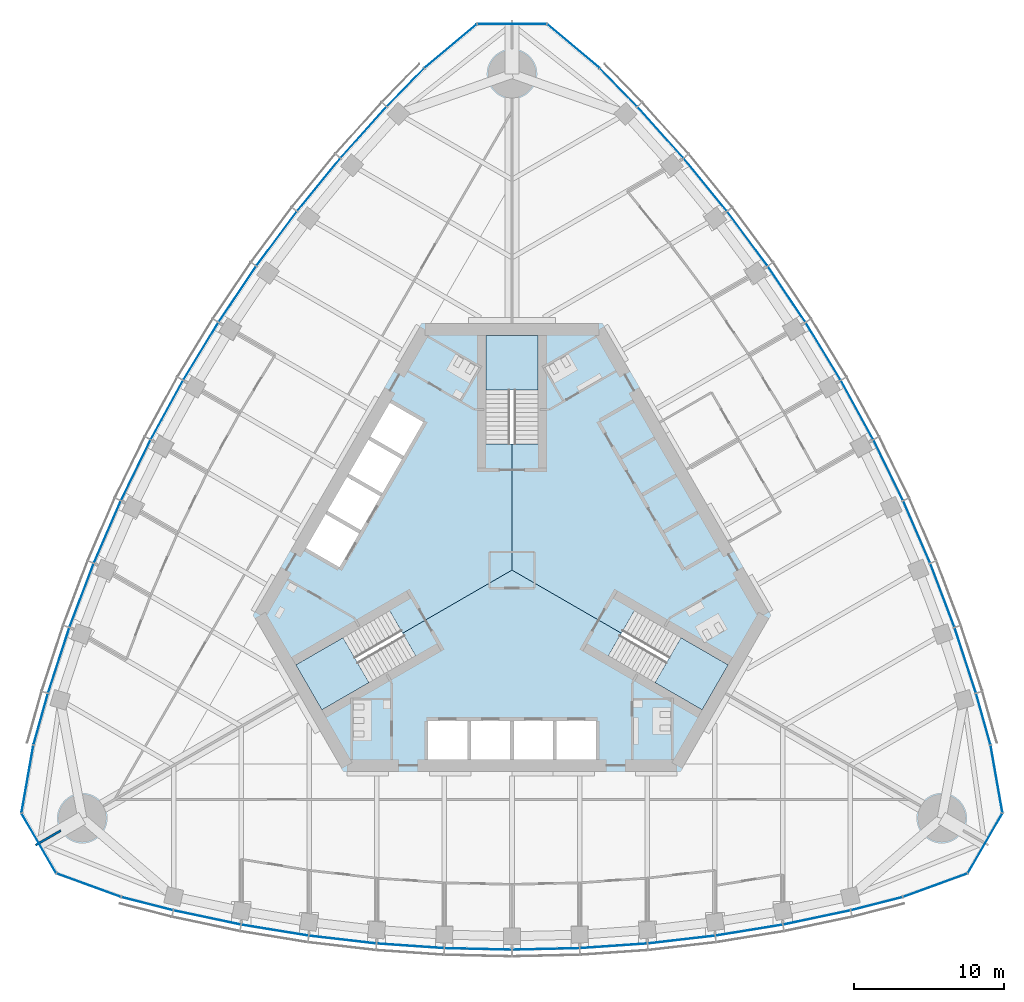
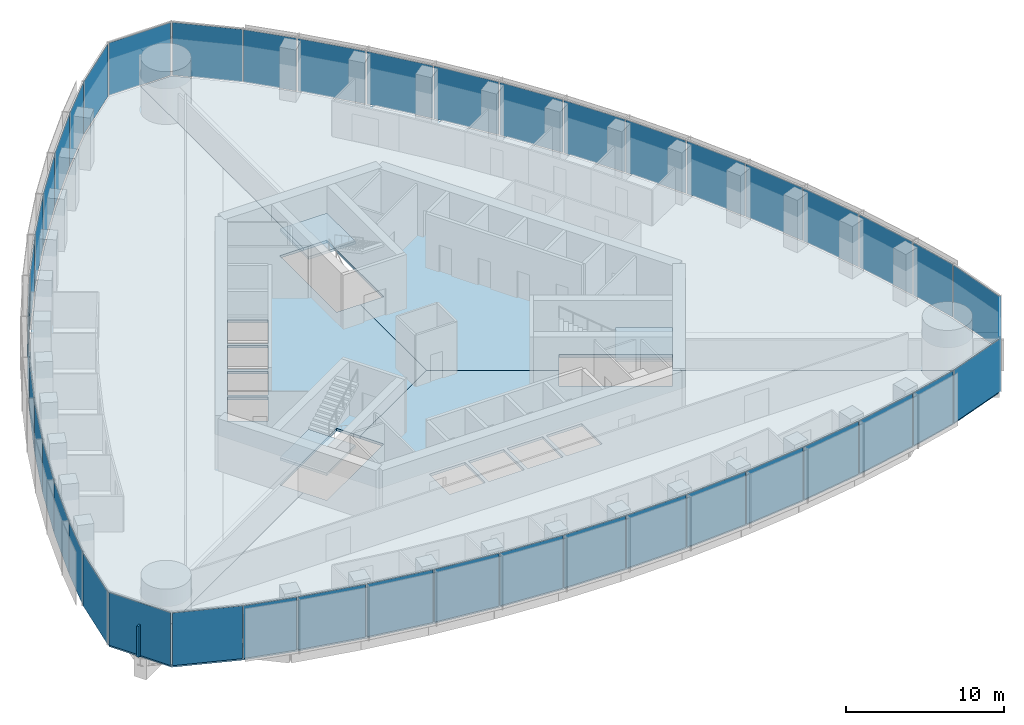
# One storey, part 10 of 20: 45 plates, 6 slabs, 1 wall, 9 elements without a shape of their own.
"""IFC4 building model written with IfcOpenShell, lengths in metres."""

from ifc_helpers import new_model, si_unit, direction, frame, frame_2d, origin, origin_2d, place, context, subcontext, project, spatial, polyline, rectangle, outline, extrude, material, layer, layer_set, type_object, element, aggregate, save


model = new_model("IFC4")

# Units and contexts
model_context = context("Model", 3, precision=1e-05, world=origin(), true_north=direction((0.0, 1.0)))
body_context = subcontext(model_context, "Body", "Model", "MODEL_VIEW")
ifc_project = project(units=[si_unit("LENGTHUNIT", "METRE"), si_unit("AREAUNIT", "SQUARE_METRE"), si_unit("VOLUMEUNIT", "CUBIC_METRE"), si_unit("PLANEANGLEUNIT", "RADIAN"), si_unit("MASSUNIT", "GRAM", prefix="KILO")], contexts=[model_context])

# Site, building, storey
site_placement = place(None, origin())
site = spatial("IfcSite", under=ifc_project, at=site_placement, CompositionType="ELEMENT")
building_placement = place(site_placement, origin())
building = spatial("IfcBuilding", under=site, at=building_placement, Name="Trefoil Bronze Tower", CompositionType="ELEMENT")
storey_placement = place(building_placement, frame((0.0, 0.0, 219.10009765625)))
storey = spatial("IfcBuildingStorey", under=building, at=storey_placement, Name="L50", CompositionType="ELEMENT", Elevation=219.10009765625)

# Curtain wall, plates
ifc_material_1 = material(Name="Tinted solar-control glass", Category="glass")
curtain_wall_type_1 = type_object("IfcCurtainWallType", Name="Bronze office curtain wall", PredefinedType="USERDEFINED", material=ifc_material_1)
curtain_wall_1_placement = place(storey_placement, origin())
curtain_wall_1 = element("IfcCurtainWall", 1, at=curtain_wall_1_placement, inside=storey, type_object=curtain_wall_type_1, Name="CW-A L50 F1", ObjectType="CURTAIN WALL", PredefinedType="USERDEFINED")
ifc_material_2 = material(Name="Tinted solar-control glass", Category="glass")
ifc_layer_1 = layer(ifc_material_2, 0.030029296875)
ifc_layer_set_1 = layer_set([ifc_layer_1], Name="Bronze office curtain wall glass panel")
plate_type_1 = type_object("IfcPlateType", Name="Bronze office curtain wall glass panel", PredefinedType="CURTAIN_PANEL", material=ifc_layer_set_1)
plate_1_placement = place(storey_placement, frame((-24.251220703125, -22.188232421875, -0.000244140625), z_axis=(0.0, 0.0, 1.0), x_axis=(0.968934035393, -0.247319297786, 0.0)))
plate_1 = element("IfcPlate", 2, at=plate_1_placement, type_object=plate_type_1, Name="CW-A L50 F1 panel 1", PredefinedType="CURTAIN_PANEL", context=body_context, shape_type="SweptSolid", body=[
    extrude(rectangle(XDim=3.483642578125, YDim=0.030029296875, at=origin_2d()), origin(), (0.0, 0.0, 1.0), 4.080078125),
])
plate_2_placement = place(storey_placement, frame((-20.270751953125, -23.105224609375, -0.000244140625), z_axis=(0.0, 0.0, 1.0), x_axis=(0.978394335897, -0.20674748725, 0.0)))
plate_2 = element("IfcPlate", 3, at=plate_2_placement, type_object=plate_type_1, Name="CW-A L50 F1 panel 2", PredefinedType="CURTAIN_PANEL", context=body_context, shape_type="SweptSolid", body=[
    extrude(rectangle(XDim=4.519287109375, YDim=0.030029296875, at=origin_2d()), origin(), (0.0, 0.0, 1.0), 4.080078125),
])
plate_3_placement = place(storey_placement, frame((-15.76611328125, -23.9482421875, -0.000244140625), z_axis=(0.0, 0.0, 1.0), x_axis=(0.986986549528, -0.160802832848, 0.0)))
plate_3 = element("IfcPlate", 4, at=plate_3_placement, type_object=plate_type_1, Name="CW-A L50 F1 panel 3", PredefinedType="CURTAIN_PANEL", context=body_context, shape_type="SweptSolid", body=[
    extrude(rectangle(XDim=4.479248046875, YDim=0.030029296875, at=origin_2d()), origin(), (0.0, 0.0, 1.0), 4.080078125),
])
plate_4_placement = place(storey_placement, frame((-11.261474609375, -24.57568359375, -0.000244140625), z_axis=(0.0, 0.0, 1.0), x_axis=(0.993381831741, -0.114858767043, 0.0)))
plate_4 = element("IfcPlate", 5, at=plate_4_placement, type_object=plate_type_1, Name="CW-A L50 F1 panel 4", PredefinedType="CURTAIN_PANEL", context=body_context, shape_type="SweptSolid", body=[
    extrude(rectangle(XDim=4.449951171875, YDim=0.030029296875, at=origin_2d()), origin(), (0.0, 0.0, 1.0), 4.080078125),
])
plate_5_placement = place(storey_placement, frame((-6.7568359375, -24.991455078125, -0.000244140625), z_axis=(0.0, 0.0, 1.0), x_axis=(0.99762252804, -0.068915103905, 0.0)))
plate_5 = element("IfcPlate", 6, at=plate_5_placement, type_object=plate_type_1, Name="CW-A L50 F1 panel 5", PredefinedType="CURTAIN_PANEL", context=body_context, shape_type="SweptSolid", body=[
    extrude(rectangle(XDim=4.4306640625, YDim=0.030029296875, at=origin_2d()), origin(), (0.0, 0.0, 1.0), 4.080078125),
])
plate_6_placement = place(storey_placement, frame((-2.252197265625, -25.198974609375, -0.000244140625), z_axis=(0.0, 0.0, 1.0), x_axis=(0.999736116243, -0.022971675577, 0.0)))
plate_6 = element("IfcPlate", 7, at=plate_6_placement, type_object=plate_type_1, Name="CW-A L50 F1 panel 6", PredefinedType="CURTAIN_PANEL", context=body_context, shape_type="SweptSolid", body=[
    extrude(rectangle(XDim=4.421142578125, YDim=0.030029296875, at=origin_2d()), origin(), (0.0, 0.0, 1.0), 4.080078125),
])
plate_7_placement = place(storey_placement, frame((2.252197265625, -25.198974609375, -0.000244140625), z_axis=(0.0, 0.0, 1.0), x_axis=(0.999736116243, 0.022971675577, 0.0)))
plate_7 = element("IfcPlate", 8, at=plate_7_placement, type_object=plate_type_1, Name="CW-A L50 F1 panel 7", PredefinedType="CURTAIN_PANEL", context=body_context, shape_type="SweptSolid", body=[
    extrude(rectangle(XDim=4.421142578125, YDim=0.030029296875, at=origin_2d()), origin(), (0.0, 0.0, 1.0), 4.080078125),
])
plate_8_placement = place(storey_placement, frame((6.7568359375, -24.991455078125, -0.000244140625), z_axis=(0.0, 0.0, 1.0), x_axis=(0.99762252804, 0.068915103905, 0.0)))
plate_8 = element("IfcPlate", 9, at=plate_8_placement, type_object=plate_type_1, Name="CW-A L50 F1 panel 8", PredefinedType="CURTAIN_PANEL", context=body_context, shape_type="SweptSolid", body=[
    extrude(rectangle(XDim=4.4306640625, YDim=0.030029296875, at=origin_2d()), origin(), (0.0, 0.0, 1.0), 4.080078125),
])
plate_9_placement = place(storey_placement, frame((11.261474609375, -24.57568359375, -0.000244140625), z_axis=(0.0, 0.0, 1.0), x_axis=(0.993381831741, 0.114858767043, 0.0)))
plate_9 = element("IfcPlate", 10, at=plate_9_placement, type_object=plate_type_1, Name="CW-A L50 F1 panel 9", PredefinedType="CURTAIN_PANEL", context=body_context, shape_type="SweptSolid", body=[
    extrude(rectangle(XDim=4.449951171875, YDim=0.030029296875, at=origin_2d()), origin(), (0.0, 0.0, 1.0), 4.080078125),
])
plate_10_placement = place(storey_placement, frame((15.76611328125, -23.9482421875, -0.000244140625), z_axis=(0.0, 0.0, 1.0), x_axis=(0.986986549528, 0.160802832848, 0.0)))
plate_10 = element("IfcPlate", 11, at=plate_10_placement, type_object=plate_type_1, Name="CW-A L50 F1 panel 10", PredefinedType="CURTAIN_PANEL", context=body_context, shape_type="SweptSolid", body=[
    extrude(rectangle(XDim=4.479248046875, YDim=0.030029296875, at=origin_2d()), origin(), (0.0, 0.0, 1.0), 4.080078125),
])
plate_11_placement = place(storey_placement, frame((20.270751953125, -23.105224609375, -0.000244140625), z_axis=(0.0, 0.0, 1.0), x_axis=(0.978394335897, 0.20674748725, 0.0)))
plate_11 = element("IfcPlate", 12, at=plate_11_placement, type_object=plate_type_1, Name="CW-A L50 F1 panel 11", PredefinedType="CURTAIN_PANEL", context=body_context, shape_type="SweptSolid", body=[
    extrude(rectangle(XDim=4.519287109375, YDim=0.030029296875, at=origin_2d()), origin(), (0.0, 0.0, 1.0), 4.080078125),
])
plate_12_placement = place(storey_placement, frame((24.251220703125, -22.188232421875, -0.000244140625), z_axis=(0.0, 0.0, 1.0), x_axis=(0.968934035393, 0.247319297786, 0.0)))
plate_12 = element("IfcPlate", 13, at=plate_12_placement, type_object=plate_type_1, Name="CW-A L50 F1 panel 12", PredefinedType="CURTAIN_PANEL", context=body_context, shape_type="SweptSolid", body=[
    extrude(rectangle(XDim=3.483642578125, YDim=0.030029296875, at=origin_2d()), origin(), (0.0, 0.0, 1.0), 4.080078125),
])
aggregate(curtain_wall_1, [plate_1, plate_2, plate_3, plate_4, plate_5, plate_6, plate_7, plate_8, plate_9, plate_10, plate_11, plate_12])

curtain_wall_2_placement = place(storey_placement, origin())
curtain_wall_2 = element("IfcCurtainWall", 14, at=curtain_wall_2_placement, inside=storey, type_object=curtain_wall_type_1, Name="CW-A L50 F2", ObjectType="CURTAIN WALL", PredefinedType="USERDEFINED")
plate_13_placement = place(storey_placement, frame((31.341064453125, -9.907958984375, -0.000244140625), z_axis=(0.0, 0.0, 1.0), x_axis=(-0.270282222968, 0.962781138134, 0.0)))
plate_13 = element("IfcPlate", 15, at=plate_13_placement, type_object=plate_type_1, Name="CW-A L50 F2 panel 1", PredefinedType="CURTAIN_PANEL", context=body_context, shape_type="SweptSolid", body=[
    extrude(rectangle(XDim=3.483642578125, YDim=0.030029296875, at=origin_2d()), origin(), (0.0, 0.0, 1.0), 4.080078125),
])
plate_14_placement = place(storey_placement, frame((30.14501953125, -6.002197265625, -0.000244140625), z_axis=(0.0, 0.0, 1.0), x_axis=(-0.310148591821, 0.950688093431, 0.0)))
plate_14 = element("IfcPlate", 16, at=plate_14_placement, type_object=plate_type_1, Name="CW-A L50 F2 panel 2", PredefinedType="CURTAIN_PANEL", context=body_context, shape_type="SweptSolid", body=[
    extrude(rectangle(XDim=4.519287109375, YDim=0.030029296875, at=origin_2d()), origin(), (0.0, 0.0, 1.0), 4.080078125),
])
plate_15_placement = place(storey_placement, frame((28.622802734375, -1.6796875, -0.000244140625), z_axis=(0.0, 0.0, 1.0), x_axis=(-0.354233936517, 0.935156841508, 0.0)))
plate_15 = element("IfcPlate", 17, at=plate_15_placement, type_object=plate_type_1, Name="CW-A L50 F2 panel 3", PredefinedType="CURTAIN_PANEL", context=body_context, shape_type="SweptSolid", body=[
    extrude(rectangle(XDim=4.479248046875, YDim=0.030029296875, at=origin_2d()), origin(), (0.0, 0.0, 1.0), 4.080078125),
])
plate_16_placement = place(storey_placement, frame((26.913818359375, 2.53515625, -0.000244140625), z_axis=(0.0, 0.0, 1.0), x_axis=(-0.397220305764, 0.917723285467, 0.0)))
plate_16 = element("IfcPlate", 18, at=plate_16_placement, type_object=plate_type_1, Name="CW-A L50 F2 panel 4", PredefinedType="CURTAIN_PANEL", context=body_context, shape_type="SweptSolid", body=[
    extrude(rectangle(XDim=4.449951171875, YDim=0.030029296875, at=origin_2d()), origin(), (0.0, 0.0, 1.0), 4.080078125),
])
plate_17_placement = place(storey_placement, frame((25.021728515625, 6.64404296875, -0.000244140625), z_axis=(0.0, 0.0, 1.0), x_axis=(-0.439129033334, 0.898424004623, 0.0)))
plate_17 = element("IfcPlate", 19, at=plate_17_placement, type_object=plate_type_1, Name="CW-A L50 F2 panel 5", PredefinedType="CURTAIN_PANEL", context=body_context, shape_type="SweptSolid", body=[
    extrude(rectangle(XDim=4.4306640625, YDim=0.030029296875, at=origin_2d()), origin(), (0.0, 0.0, 1.0), 4.080078125),
])
plate_18_placement = place(storey_placement, frame((22.948974609375, 10.64892578125, -0.000244140625), z_axis=(0.0, 0.0, 1.0), x_axis=(-0.479974003504, 0.877282711536, 0.0)))
plate_18 = element("IfcPlate", 20, at=plate_18_placement, type_object=plate_type_1, Name="CW-A L50 F2 panel 6", PredefinedType="CURTAIN_PANEL", context=body_context, shape_type="SweptSolid", body=[
    extrude(rectangle(XDim=4.421142578125, YDim=0.030029296875, at=origin_2d()), origin(), (0.0, 0.0, 1.0), 4.080078125),
])
plate_19_placement = place(storey_placement, frame((20.69677734375, 14.550048828125, -0.000244140625), z_axis=(0.0, 0.0, 1.0), x_axis=(-0.519762112739, 0.854311035959, 0.0)))
plate_19 = element("IfcPlate", 21, at=plate_19_placement, type_object=plate_type_1, Name="CW-A L50 F2 panel 7", PredefinedType="CURTAIN_PANEL", context=body_context, shape_type="SweptSolid", body=[
    extrude(rectangle(XDim=4.421142578125, YDim=0.030029296875, at=origin_2d()), origin(), (0.0, 0.0, 1.0), 4.080078125),
])
plate_20_placement = place(storey_placement, frame((18.264892578125, 18.347412109375, -0.000244140625), z_axis=(0.0, 0.0, 1.0), x_axis=(-0.558493494706, 0.829508900718, 0.0)))
plate_20 = element("IfcPlate", 22, at=plate_20_placement, type_object=plate_type_1, Name="CW-A L50 F2 panel 8", PredefinedType="CURTAIN_PANEL", context=body_context, shape_type="SweptSolid", body=[
    extrude(rectangle(XDim=4.4306640625, YDim=0.030029296875, at=origin_2d()), origin(), (0.0, 0.0, 1.0), 4.080078125),
])
plate_21_placement = place(storey_placement, frame((15.65234375, 22.04052734375, -0.000244140625), z_axis=(0.0, 0.0, 1.0), x_axis=(-0.596161525977, 0.802864518425, 0.0)))
plate_21 = element("IfcPlate", 23, at=plate_21_placement, type_object=plate_type_1, Name="CW-A L50 F2 panel 9", PredefinedType="CURTAIN_PANEL", context=body_context, shape_type="SweptSolid", body=[
    extrude(rectangle(XDim=4.449951171875, YDim=0.030029296875, at=origin_2d()), origin(), (0.0, 0.0, 1.0), 4.080078125),
])
plate_22_placement = place(storey_placement, frame((12.856689453125, 25.6279296875, -0.000244140625), z_axis=(0.0, 0.0, 1.0), x_axis=(-0.63275261301, 0.774354008661, 0.0)))
plate_22 = element("IfcPlate", 24, at=plate_22_placement, type_object=plate_type_1, Name="CW-A L50 F2 panel 10", PredefinedType="CURTAIN_PANEL", context=body_context, shape_type="SweptSolid", body=[
    extrude(rectangle(XDim=4.479248046875, YDim=0.030029296875, at=origin_2d()), origin(), (0.0, 0.0, 1.0), 4.080078125),
])
plate_23_placement = place(storey_placement, frame((9.87451171875, 29.107666015625, -0.000244140625), z_axis=(0.0, 0.0, 1.0), x_axis=(-0.668245744076, 0.743940606181, 0.0)))
plate_23 = element("IfcPlate", 25, at=plate_23_placement, type_object=plate_type_1, Name="CW-A L50 F2 panel 11", PredefinedType="CURTAIN_PANEL", context=body_context, shape_type="SweptSolid", body=[
    extrude(rectangle(XDim=4.519287109375, YDim=0.030029296875, at=origin_2d()), origin(), (0.0, 0.0, 1.0), 4.080078125),
])
plate_24_placement = place(storey_placement, frame((7.08984375, 32.09619140625, -0.000244140625), z_axis=(0.0, 0.0, 1.0), x_axis=(-0.698651812425, 0.715461840349, 0.0)))
plate_24 = element("IfcPlate", 26, at=plate_24_placement, type_object=plate_type_1, Name="CW-A L50 F2 panel 12", PredefinedType="CURTAIN_PANEL", context=body_context, shape_type="SweptSolid", body=[
    extrude(rectangle(XDim=3.483642578125, YDim=0.030029296875, at=origin_2d()), origin(), (0.0, 0.0, 1.0), 4.080078125),
])
aggregate(curtain_wall_2, [plate_13, plate_14, plate_15, plate_16, plate_17, plate_18, plate_19, plate_20, plate_21, plate_22, plate_23, plate_24])

curtain_wall_3_placement = place(storey_placement, origin())
curtain_wall_3 = element("IfcCurtainWall", 27, at=curtain_wall_3_placement, inside=storey, type_object=curtain_wall_type_1, Name="CW-A L50 F3", ObjectType="CURTAIN WALL", PredefinedType="USERDEFINED")
plate_25_placement = place(storey_placement, frame((-7.08984375, 32.09619140625, -0.000244140625), z_axis=(0.0, 0.0, 1.0), x_axis=(-0.698651812425, -0.715461840349, 0.0)))
plate_25 = element("IfcPlate", 28, at=plate_25_placement, type_object=plate_type_1, Name="CW-A L50 F3 panel 1", PredefinedType="CURTAIN_PANEL", context=body_context, shape_type="SweptSolid", body=[
    extrude(rectangle(XDim=3.483642578125, YDim=0.030029296875, at=origin_2d()), origin(), (0.0, 0.0, 1.0), 4.080078125),
])
plate_26_placement = place(storey_placement, frame((-9.87451171875, 29.107666015625, -0.000244140625), z_axis=(0.0, 0.0, 1.0), x_axis=(-0.668245744076, -0.743940606181, 0.0)))
plate_26 = element("IfcPlate", 29, at=plate_26_placement, type_object=plate_type_1, Name="CW-A L50 F3 panel 2", PredefinedType="CURTAIN_PANEL", context=body_context, shape_type="SweptSolid", body=[
    extrude(rectangle(XDim=4.519287109375, YDim=0.030029296875, at=origin_2d()), origin(), (0.0, 0.0, 1.0), 4.080078125),
])
plate_27_placement = place(storey_placement, frame((-12.856689453125, 25.6279296875, -0.000244140625), z_axis=(0.0, 0.0, 1.0), x_axis=(-0.63275261301, -0.774354008661, 0.0)))
plate_27 = element("IfcPlate", 30, at=plate_27_placement, type_object=plate_type_1, Name="CW-A L50 F3 panel 3", PredefinedType="CURTAIN_PANEL", context=body_context, shape_type="SweptSolid", body=[
    extrude(rectangle(XDim=4.479248046875, YDim=0.030029296875, at=origin_2d()), origin(), (0.0, 0.0, 1.0), 4.080078125),
])
plate_28_placement = place(storey_placement, frame((-15.65234375, 22.04052734375, -0.000244140625), z_axis=(0.0, 0.0, 1.0), x_axis=(-0.596161525977, -0.802864518425, 0.0)))
plate_28 = element("IfcPlate", 31, at=plate_28_placement, type_object=plate_type_1, Name="CW-A L50 F3 panel 4", PredefinedType="CURTAIN_PANEL", context=body_context, shape_type="SweptSolid", body=[
    extrude(rectangle(XDim=4.449951171875, YDim=0.030029296875, at=origin_2d()), origin(), (0.0, 0.0, 1.0), 4.080078125),
])
plate_29_placement = place(storey_placement, frame((-18.264892578125, 18.347412109375, -0.000244140625), z_axis=(0.0, 0.0, 1.0), x_axis=(-0.558493494706, -0.829508900718, 0.0)))
plate_29 = element("IfcPlate", 32, at=plate_29_placement, type_object=plate_type_1, Name="CW-A L50 F3 panel 5", PredefinedType="CURTAIN_PANEL", context=body_context, shape_type="SweptSolid", body=[
    extrude(rectangle(XDim=4.4306640625, YDim=0.030029296875, at=origin_2d()), origin(), (0.0, 0.0, 1.0), 4.080078125),
])
plate_30_placement = place(storey_placement, frame((-20.69677734375, 14.550048828125, -0.000244140625), z_axis=(0.0, 0.0, 1.0), x_axis=(-0.519762112739, -0.854311035959, 0.0)))
plate_30 = element("IfcPlate", 33, at=plate_30_placement, type_object=plate_type_1, Name="CW-A L50 F3 panel 6", PredefinedType="CURTAIN_PANEL", context=body_context, shape_type="SweptSolid", body=[
    extrude(rectangle(XDim=4.421142578125, YDim=0.030029296875, at=origin_2d()), origin(), (0.0, 0.0, 1.0), 4.080078125),
])
plate_31_placement = place(storey_placement, frame((-22.948974609375, 10.64892578125, -0.000244140625), z_axis=(0.0, 0.0, 1.0), x_axis=(-0.479974003504, -0.877282711536, 0.0)))
plate_31 = element("IfcPlate", 34, at=plate_31_placement, type_object=plate_type_1, Name="CW-A L50 F3 panel 7", PredefinedType="CURTAIN_PANEL", context=body_context, shape_type="SweptSolid", body=[
    extrude(rectangle(XDim=4.421142578125, YDim=0.030029296875, at=origin_2d()), origin(), (0.0, 0.0, 1.0), 4.080078125),
])
plate_32_placement = place(storey_placement, frame((-25.021728515625, 6.64404296875, -0.000244140625), z_axis=(0.0, 0.0, 1.0), x_axis=(-0.439129033334, -0.898424004623, 0.0)))
plate_32 = element("IfcPlate", 35, at=plate_32_placement, type_object=plate_type_1, Name="CW-A L50 F3 panel 8", PredefinedType="CURTAIN_PANEL", context=body_context, shape_type="SweptSolid", body=[
    extrude(rectangle(XDim=4.4306640625, YDim=0.030029296875, at=origin_2d()), origin(), (0.0, 0.0, 1.0), 4.080078125),
])
plate_33_placement = place(storey_placement, frame((-26.913818359375, 2.53515625, -0.000244140625), z_axis=(0.0, 0.0, 1.0), x_axis=(-0.397220305764, -0.917723285467, 0.0)))
plate_33 = element("IfcPlate", 36, at=plate_33_placement, type_object=plate_type_1, Name="CW-A L50 F3 panel 9", PredefinedType="CURTAIN_PANEL", context=body_context, shape_type="SweptSolid", body=[
    extrude(rectangle(XDim=4.449951171875, YDim=0.030029296875, at=origin_2d()), origin(), (0.0, 0.0, 1.0), 4.080078125),
])
plate_34_placement = place(storey_placement, frame((-28.622802734375, -1.6796875, -0.000244140625), z_axis=(0.0, 0.0, 1.0), x_axis=(-0.354233936517, -0.935156841508, 0.0)))
plate_34 = element("IfcPlate", 37, at=plate_34_placement, type_object=plate_type_1, Name="CW-A L50 F3 panel 10", PredefinedType="CURTAIN_PANEL", context=body_context, shape_type="SweptSolid", body=[
    extrude(rectangle(XDim=4.479248046875, YDim=0.030029296875, at=origin_2d()), origin(), (0.0, 0.0, 1.0), 4.080078125),
])
plate_35_placement = place(storey_placement, frame((-30.14501953125, -6.002197265625, -0.000244140625), z_axis=(0.0, 0.0, 1.0), x_axis=(-0.310148591821, -0.950688093431, 0.0)))
plate_35 = element("IfcPlate", 38, at=plate_35_placement, type_object=plate_type_1, Name="CW-A L50 F3 panel 11", PredefinedType="CURTAIN_PANEL", context=body_context, shape_type="SweptSolid", body=[
    extrude(rectangle(XDim=4.519287109375, YDim=0.030029296875, at=origin_2d()), origin(), (0.0, 0.0, 1.0), 4.080078125),
])
plate_36_placement = place(storey_placement, frame((-31.341064453125, -9.907958984375, -0.000244140625), z_axis=(0.0, 0.0, 1.0), x_axis=(-0.270282222968, -0.962781138134, 0.0)))
plate_36 = element("IfcPlate", 39, at=plate_36_placement, type_object=plate_type_1, Name="CW-A L50 F3 panel 12", PredefinedType="CURTAIN_PANEL", context=body_context, shape_type="SweptSolid", body=[
    extrude(rectangle(XDim=3.483642578125, YDim=0.030029296875, at=origin_2d()), origin(), (0.0, 0.0, 1.0), 4.080078125),
])
aggregate(curtain_wall_3, [plate_25, plate_26, plate_27, plate_28, plate_29, plate_30, plate_31, plate_32, plate_33, plate_34, plate_35, plate_36])

ifc_material_3 = material(Name="Tinted solar-control glass", Category="glass")
curtain_wall_type_2 = type_object("IfcCurtainWallType", Name="Bronze rounded corner curtain wall", PredefinedType="USERDEFINED", material=ifc_material_3)
curtain_wall_4_placement = place(storey_placement, origin())
curtain_wall_4 = element("IfcCurtainWall", 40, at=curtain_wall_4_placement, inside=storey, type_object=curtain_wall_type_2, Name="CW-B L50 K1", ObjectType="CURTAIN WALL", PredefinedType="USERDEFINED")
ifc_material_4 = material(Name="Tinted solar-control glass", Category="glass")
ifc_layer_2 = layer(ifc_material_4, 0.030029296875)
ifc_layer_set_2 = layer_set([ifc_layer_2], Name="Bronze rounded corner curtain wall glass panel")
plate_type_2 = type_object("IfcPlateType", Name="Bronze rounded corner curtain wall glass panel", PredefinedType="CURTAIN_PANEL", material=ifc_layer_set_2)
plate_37_placement = place(storey_placement, frame((28.1298828125, -20.96484375, -0.000244140625), z_axis=(0.0, 0.0, 1.0), x_axis=(0.939692620786, 0.342020143326, 0.0)))
plate_37 = element("IfcPlate", 41, at=plate_37_placement, type_object=plate_type_2, Name="CW-B L50 K1 panel 1", PredefinedType="CURTAIN_PANEL", context=body_context, shape_type="SweptSolid", body=[
    extrude(rectangle(XDim=4.500244140625, YDim=0.030029296875, at=origin_2d()), origin(), (0.0, 0.0, 1.0), 4.080078125),
])
plate_38_placement = place(storey_placement, frame((31.46484375, -18.166259765625, -0.000244140625), z_axis=(0.0, 0.0, 1.0), x_axis=(0.5, 0.866025403784, 0.0)))
plate_38 = element("IfcPlate", 42, at=plate_38_placement, type_object=plate_type_2, Name="CW-B L50 K1 panel 2", PredefinedType="CURTAIN_PANEL", context=body_context, shape_type="SweptSolid", body=[
    extrude(rectangle(XDim=4.500244140625, YDim=0.030029296875, at=origin_2d()), origin(), (0.0, 0.0, 1.0), 4.080078125),
])
plate_39_placement = place(storey_placement, frame((32.220947265625, -13.878662109375, -0.000244140625), z_axis=(0.0, 0.0, 1.0), x_axis=(-0.173648177667, 0.984807753012, 0.0)))
plate_39 = element("IfcPlate", 43, at=plate_39_placement, type_object=plate_type_2, Name="CW-B L50 K1 panel 3", PredefinedType="CURTAIN_PANEL", context=body_context, shape_type="SweptSolid", body=[
    extrude(rectangle(XDim=4.500244140625, YDim=0.030029296875, at=origin_2d()), origin(), (0.0, 0.0, 1.0), 4.080078125),
])
aggregate(curtain_wall_4, [plate_37, plate_38, plate_39])

curtain_wall_5_placement = place(storey_placement, origin())
curtain_wall_5 = element("IfcCurtainWall", 44, at=curtain_wall_5_placement, inside=storey, type_object=curtain_wall_type_2, Name="CW-B L50 K2", ObjectType="CURTAIN WALL", PredefinedType="USERDEFINED")
plate_40_placement = place(storey_placement, frame((4.091064453125, 34.843505859375, -0.000244140625), z_axis=(0.0, 0.0, 1.0), x_axis=(-0.766044443119, 0.642787609687, 0.0)))
plate_40 = element("IfcPlate", 45, at=plate_40_placement, type_object=plate_type_2, Name="CW-B L50 K2 panel 1", PredefinedType="CURTAIN_PANEL", context=body_context, shape_type="SweptSolid", body=[
    extrude(rectangle(XDim=4.500244140625, YDim=0.030029296875, at=origin_2d()), origin(), (0.0, 0.0, 1.0), 4.080078125),
])
plate_41_placement = place(storey_placement, frame((0.0, 36.33251953125, -0.000244140625), z_axis=(0.0, 0.0, 1.0), x_axis=(-1.0, 0.0, 0.0)))
plate_41 = element("IfcPlate", 46, at=plate_41_placement, type_object=plate_type_2, Name="CW-B L50 K2 panel 2", PredefinedType="CURTAIN_PANEL", context=body_context, shape_type="SweptSolid", body=[
    extrude(rectangle(XDim=4.500244140625, YDim=0.030029296875, at=origin_2d()), origin(), (0.0, 0.0, 1.0), 4.080078125),
])
plate_42_placement = place(storey_placement, frame((-4.091064453125, 34.843505859375, -0.000244140625), z_axis=(0.0, 0.0, 1.0), x_axis=(-0.766044443119, -0.642787609687, 0.0)))
plate_42 = element("IfcPlate", 47, at=plate_42_placement, type_object=plate_type_2, Name="CW-B L50 K2 panel 3", PredefinedType="CURTAIN_PANEL", context=body_context, shape_type="SweptSolid", body=[
    extrude(rectangle(XDim=4.500244140625, YDim=0.030029296875, at=origin_2d()), origin(), (0.0, 0.0, 1.0), 4.080078125),
])
aggregate(curtain_wall_5, [plate_40, plate_41, plate_42])

curtain_wall_6_placement = place(storey_placement, origin())
curtain_wall_6 = element("IfcCurtainWall", 48, at=curtain_wall_6_placement, inside=storey, type_object=curtain_wall_type_2, Name="CW-B L50 K3", ObjectType="CURTAIN WALL", PredefinedType="USERDEFINED")
plate_43_placement = place(storey_placement, frame((-32.220947265625, -13.878662109375, -0.000244140625), z_axis=(0.0, 0.0, 1.0), x_axis=(-0.173648177667, -0.984807753012, 0.0)))
plate_43 = element("IfcPlate", 49, at=plate_43_placement, type_object=plate_type_2, Name="CW-B L50 K3 panel 1", PredefinedType="CURTAIN_PANEL", context=body_context, shape_type="SweptSolid", body=[
    extrude(rectangle(XDim=4.500244140625, YDim=0.030029296875, at=origin_2d()), origin(), (0.0, 0.0, 1.0), 4.080078125),
])
plate_44_placement = place(storey_placement, frame((-31.46484375, -18.166259765625, -0.000244140625), z_axis=(0.0, 0.0, 1.0), x_axis=(0.5, -0.866025403784, 0.0)))
plate_44 = element("IfcPlate", 50, at=plate_44_placement, type_object=plate_type_2, Name="CW-B L50 K3 panel 2", PredefinedType="CURTAIN_PANEL", context=body_context, shape_type="SweptSolid", body=[
    extrude(rectangle(XDim=4.500244140625, YDim=0.030029296875, at=origin_2d()), origin(), (0.0, 0.0, 1.0), 4.080078125),
])
plate_45_placement = place(storey_placement, frame((-28.1298828125, -20.96484375, -0.000244140625), z_axis=(0.0, 0.0, 1.0), x_axis=(0.939692620786, -0.342020143326, 0.0)))
plate_45 = element("IfcPlate", 51, at=plate_45_placement, type_object=plate_type_2, Name="CW-B L50 K3 panel 3", PredefinedType="CURTAIN_PANEL", context=body_context, shape_type="SweptSolid", body=[
    extrude(rectangle(XDim=4.500244140625, YDim=0.030029296875, at=origin_2d()), origin(), (0.0, 0.0, 1.0), 4.080078125),
])
aggregate(curtain_wall_6, [plate_43, plate_44, plate_45])

# Slabs
ifc_material_5 = material(Name="Concrete B30", Category="concrete")
ifc_layer_3 = layer(ifc_material_5, 0.199951171875)
ifc_layer_set_3 = layer_set([ifc_layer_3], Name="Floor slab 200")
slab_type_1 = type_object("IfcSlabType", Name="Floor slab 200", PredefinedType="FLOOR", material=ifc_layer_set_3)
slab_1_placement = place(storey_placement, frame((0.0, 0.0, -0.2001953125)))
element("IfcSlab", 52, at=slab_1_placement, inside=storey, type_object=slab_type_1, Name="Floor slab L50 face 1", PredefinedType="FLOOR", context=body_context, shape_type="SweptSolid", body=[
    extrude(outline(polyline([(18.0, -23.48291015625), (13.5, -24.216064453125), (9.0, -24.736328125), (4.5, -25.047119140625), (0.0, -25.150634765625), (-4.5, -25.047119140625), (-9.0, -24.736328125), (-13.5, -24.216064453125), (-18.0, -23.48291015625), (-22.5, -22.531982421875), (-25.952880859375, -21.650634765625), (-30.23828125, -20.0908203125), (-31.37841796875, -18.1162109375), (-13.510009765625, -7.800048828125), (-12.6474609375, -9.2939453125), (-6.412109375, -5.69384765625), (-7.274658203125, -4.199951171875), (0.0, 0.0), (7.274658203125, -4.199951171875), (6.412109375, -5.69384765625), (12.6474609375, -9.2939453125), (13.510009765625, -7.800048828125), (31.37841796875, -18.1162109375), (30.23828125, -20.0908203125), (25.952880859375, -21.650634765625), (22.5, -22.531982421875), (18.0, -23.48291015625)]), holes=[polyline([(-5.574951171875, -10.02490234375), (-2.97509765625, -10.02490234375), (-2.97509765625, -12.60009765625), (-5.574951171875, -12.60009765625), (-5.574951171875, -10.02490234375)]), polyline([(-2.72509765625, -10.02490234375), (-0.125, -10.02490234375), (-0.125, -12.60009765625), (-2.72509765625, -12.60009765625), (-2.72509765625, -10.02490234375)]), polyline([(0.125, -10.02490234375), (2.72509765625, -10.02490234375), (2.72509765625, -12.60009765625), (0.125, -12.60009765625), (0.125, -10.02490234375)]), polyline([(2.97509765625, -10.02490234375), (5.574951171875, -10.02490234375), (5.574951171875, -12.60009765625), (2.97509765625, -12.60009765625), (2.97509765625, -10.02490234375)])]), origin(), (0.0, 0.0, 1.0), 0.2001953125),
])
slab_2_placement = place(storey_placement, frame((0.0, 0.0, -0.2001953125)))
element("IfcSlab", 53, at=slab_2_placement, inside=storey, type_object=slab_type_1, Name="Floor slab L50 face 2", PredefinedType="FLOOR", context=body_context, shape_type="SweptSolid", body=[
    extrude(outline(polyline([(11.3369140625, 27.329833984375), (14.2216796875, 23.79931640625), (16.92236328125, 20.162353515625), (19.441650390625, 16.420654296875), (21.781005859375, 12.575439453125), (23.941650390625, 8.62646484375), (25.92236328125, 4.573974609375), (27.7216796875, 0.416748046875), (29.3369140625, -3.846923828125), (30.76318359375, -8.219482421875), (31.7265625, -11.650634765625), (32.518310546875, -16.1416015625), (31.37841796875, -18.1162109375), (13.510009765625, -7.800048828125), (14.37255859375, -6.30615234375), (8.13720703125, -2.7060546875), (7.274658203125, -4.199951171875), (0.0, 0.0), (0.0, 8.39990234375), (1.72509765625, 8.39990234375), (1.72509765625, 15.60009765625), (0.0, 15.60009765625), (0.0, 36.232666015625), (2.280029296875, 36.232666015625), (5.7734375, 33.30126953125), (8.26318359375, 30.75146484375), (11.3369140625, 27.329833984375)])), origin(), (0.0, 0.0, 1.0), 0.2001953125),
])
slab_3_placement = place(storey_placement, frame((0.0, 0.0, -0.2001953125)))
element("IfcSlab", 54, at=slab_3_placement, inside=storey, type_object=slab_type_1, Name="Floor slab L50 face 3", PredefinedType="FLOOR", context=body_context, shape_type="SweptSolid", body=[
    extrude(outline(polyline([(-29.3369140625, -3.846923828125), (-27.7216796875, 0.416748046875), (-25.92236328125, 4.573974609375), (-23.941650390625, 8.62646484375), (-21.781005859375, 12.575439453125), (-19.441650390625, 16.420654296875), (-16.92236328125, 20.162353515625), (-14.2216796875, 23.79931640625), (-11.3369140625, 27.329833984375), (-8.26318359375, 30.75146484375), (-5.7734375, 33.30126953125), (-2.280029296875, 36.232666015625), (0.0, 36.232666015625), (0.0, 15.60009765625), (-1.72509765625, 15.60009765625), (-1.72509765625, 8.39990234375), (0.0, 8.39990234375), (0.0, 0.0), (-7.274658203125, -4.199951171875), (-8.13720703125, -2.7060546875), (-14.37255859375, -6.30615234375), (-13.510009765625, -7.800048828125), (-31.37841796875, -18.1162109375), (-32.518310546875, -16.1416015625), (-31.7265625, -11.650634765625), (-30.76318359375, -8.219482421875), (-29.3369140625, -3.846923828125)]), holes=[polyline([(-5.894287109375, 9.840576171875), (-7.1943359375, 7.5888671875), (-9.42431640625, 8.87646484375), (-8.12451171875, 11.128173828125), (-5.894287109375, 9.840576171875)]), polyline([(-7.3193359375, 7.372314453125), (-8.619384765625, 5.120849609375), (-10.849365234375, 6.408203125), (-9.54931640625, 8.659912109375), (-7.3193359375, 7.372314453125)]), polyline([(-8.744384765625, 4.904296875), (-10.04443359375, 2.652587890625), (-12.2744140625, 3.940185546875), (-10.974365234375, 6.191650390625), (-8.744384765625, 4.904296875)]), polyline([(-10.16943359375, 2.43603515625), (-11.469482421875, 0.184326171875), (-13.699462890625, 1.471923828125), (-12.3994140625, 3.7236328125), (-10.16943359375, 2.43603515625)])]), origin(), (0.0, 0.0, 1.0), 0.2001953125),
])

# Stair, slab
ifc_material_6 = material(Name="Precast concrete B80", Category="concrete")
stair_type = type_object("IfcStairType", Name="Exit stair 26 risers", PredefinedType="HALF_TURN_STAIR", material=ifc_material_6)
stair_1_placement = place(storey_placement, origin())
stair_1 = element("IfcStair", 55, at=stair_1_placement, inside=storey, type_object=stair_type, Name="Stair ST1 L50", PredefinedType="HALF_TURN_STAIR")
ifc_material_7 = material(Name="Concrete B30", Category="concrete")
ifc_layer_4 = layer(ifc_material_7, 0.199951171875)
ifc_layer_set_4 = layer_set([ifc_layer_4], Name="Stair landing 200")
slab_type_2 = type_object("IfcSlabType", Name="Stair landing 200", PredefinedType="LANDING", material=ifc_layer_set_4)
slab_4_placement = place(storey_placement, frame((0.0, 0.0, 1.89990234375)))
slab_4 = element("IfcSlab", 56, at=slab_4_placement, type_object=slab_type_2, Name="ST1 landing 1", PredefinedType="LANDING", context=body_context, shape_type="SweptSolid", body=[
    extrude(outline(polyline([(9.512451171875, -7.48388671875), (12.6474609375, -9.2939453125), (14.37255859375, -6.30615234375), (11.237548828125, -4.49609375), (9.512451171875, -7.48388671875)])), origin(), (0.0, 0.0, 1.0), 0.199951171875),
])
aggregate(stair_1, [slab_4])

stair_2_placement = place(storey_placement, origin())
stair_2 = element("IfcStair", 57, at=stair_2_placement, inside=storey, type_object=stair_type, Name="Stair ST2 L50", PredefinedType="HALF_TURN_STAIR")
slab_5_placement = place(storey_placement, frame((0.0, 0.0, 1.89990234375)))
slab_5 = element("IfcSlab", 58, at=slab_5_placement, type_object=slab_type_2, Name="ST2 landing 1", PredefinedType="LANDING", context=body_context, shape_type="SweptSolid", body=[
    extrude(outline(polyline([(1.72509765625, 11.97998046875), (1.72509765625, 15.60009765625), (-1.72509765625, 15.60009765625), (-1.72509765625, 11.97998046875), (1.72509765625, 11.97998046875)])), origin(), (0.0, 0.0, 1.0), 0.199951171875),
])
aggregate(stair_2, [slab_5])

stair_3_placement = place(storey_placement, origin())
stair_3 = element("IfcStair", 59, at=stair_3_placement, inside=storey, type_object=stair_type, Name="Stair ST3 L50", PredefinedType="HALF_TURN_STAIR")
slab_6_placement = place(storey_placement, frame((0.0, 0.0, 1.89990234375)))
slab_6 = element("IfcSlab", 60, at=slab_6_placement, type_object=slab_type_2, Name="ST3 landing 1", PredefinedType="LANDING", context=body_context, shape_type="SweptSolid", body=[
    extrude(outline(polyline([(-11.237548828125, -4.49609375), (-14.37255859375, -6.30615234375), (-12.6474609375, -9.2939453125), (-9.512451171875, -7.48388671875), (-11.237548828125, -4.49609375)])), origin(), (0.0, 0.0, 1.0), 0.199951171875),
])
aggregate(stair_3, [slab_6])

# Wall
ifc_material_8 = material(Name="Gypsum board on steel studs", Category="steel")
ifc_layer_5 = layer(ifc_material_8, 0.14990234375)
ifc_layer_set_5 = layer_set([ifc_layer_5], Name="Party wall 150")
wall_type = type_object("IfcWallType", Name="Party wall 150", PredefinedType="PARTITIONING", material=ifc_layer_set_5)
wall_placement = place(storey_placement, frame((-30.0078125, -17.324951171875, 0.0), z_axis=(0.0, 0.0, 1.0), x_axis=(-0.866013246922, -0.500021055713, 0.0)))
element("IfcWall", 61, at=wall_placement, inside=storey, type_object=wall_type, Name="Party wall K3 L50", PredefinedType="PARTITIONING", context=body_context, shape_type="SweptSolid", body=[
    extrude(rectangle(XDim=1.9345703125, YDim=0.14990234375, at=frame_2d((0.96728515625, 0.0))), origin(), (0.0, 0.0, 1.0), 2.39990234375),
])

save(model, "model.ifc")
